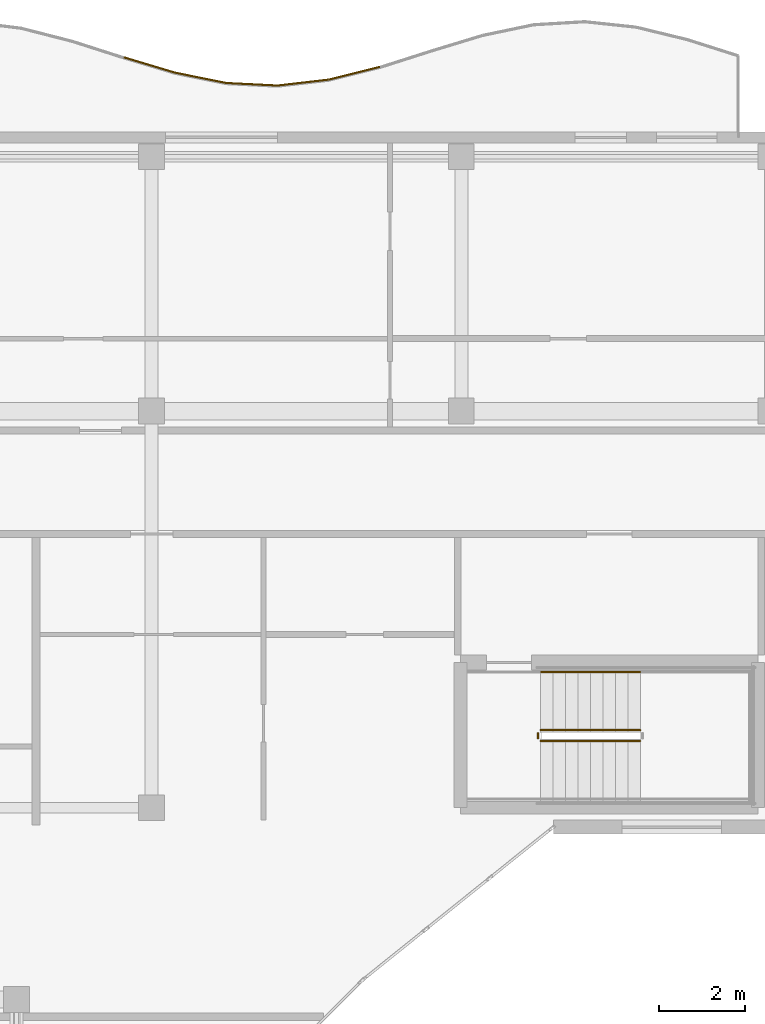
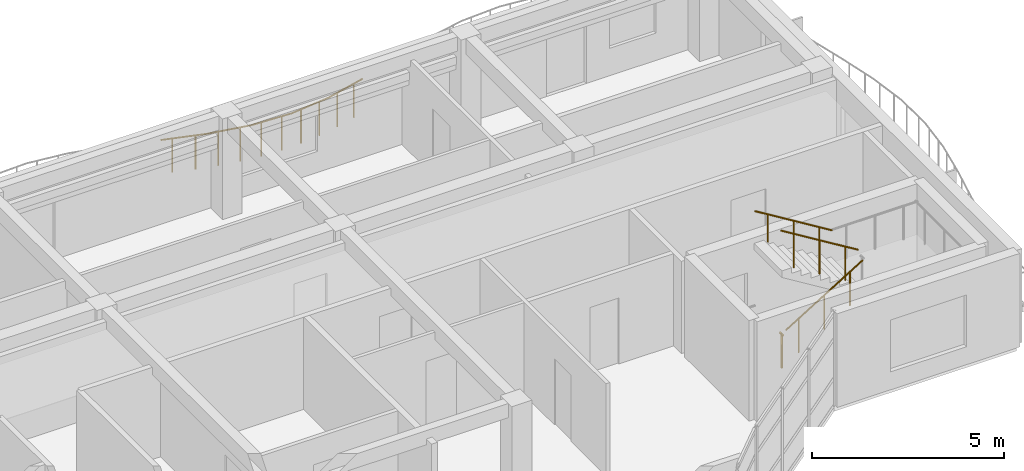
# One storey, part 67 of 76: 9 railings.
"""IFC4 building model written with IfcOpenShell, lengths in metres."""

from ifc_helpers import new_model, si_unit, direction, frame, origin, origin_2d, place, context, subcontext, project, spatial, circle, extrude, material, type_object, element, save


model = new_model("IFC4")

# Units and contexts
model_context = context("Model", 3, precision=1e-05, world=origin(), true_north=direction((0.0, 1.0)))
body_context = subcontext(model_context, "Body", "Model", "MODEL_VIEW")
ifc_project = project(units=[si_unit("LENGTHUNIT", "METRE"), si_unit("AREAUNIT", "SQUARE_METRE"), si_unit("VOLUMEUNIT", "CUBIC_METRE"), si_unit("PLANEANGLEUNIT", "RADIAN"), si_unit("MASSUNIT", "GRAM", prefix="KILO")], contexts=[model_context])

# Site, building, storey
site_placement = place(None, origin())
site = spatial("IfcSite", under=ifc_project, at=site_placement, CompositionType="ELEMENT")
building_placement = place(site_placement, origin())
building = spatial("IfcBuilding", under=site, at=building_placement, Name="Keldmere Railside Commons", CompositionType="ELEMENT")
storey_placement = place(building_placement, frame((0.0, 0.0, 13.760009765625)))
storey = spatial("IfcBuildingStorey", under=building, at=storey_placement, Name="L04", CompositionType="ELEMENT", Elevation=13.760009765625)

# Railings
ifc_material = material(Name="Steel F-24 (S235)", Category="steel")
railing_type_1 = type_object("IfcRailingType", Name="Balcony & Terrace Steel Balustrade 1100", PredefinedType="BALUSTRADE", material=ifc_material)
railing_1_placement = place(storey_placement, frame((122.037109375, 117.860107421875, 0.0)))
element("IfcRailing", 1, at=railing_1_placement, inside=storey, type_object=railing_type_1, Name="GR-1 GRD-L04-2261", PredefinedType="BALUSTRADE", context=body_context, shape_type="SweptSolid", body=[
    extrude(circle(Radius=0.02392578125, at=origin_2d()), frame((0.0, 0.0, 1.076171875), z_axis=(0.95768539045, -0.287817117138, 0.0), x_axis=(0.287817117138, 0.95768539045, 0.0)), (0.0, 0.0, 1.0), 1.240966796875),
    extrude(circle(Radius=0.02099609375, at=origin_2d()), frame((0.297119140625, -0.08935546875, 0.0)), (0.0, 0.0, 1.0), 1.048095703125),
    extrude(circle(Radius=0.02099609375, at=origin_2d()), frame((0.891357421875, -0.267822265625, 0.0)), (0.0, 0.0, 1.0), 1.048095703125),
])
railing_2_placement = place(storey_placement, frame((123.2255859375, 117.5029296875, 0.0)))
element("IfcRailing", 2, at=railing_2_placement, inside=storey, type_object=railing_type_1, Name="GR-1 GRD-L04-2262", PredefinedType="BALUSTRADE", context=body_context, shape_type="SweptSolid", body=[
    extrude(circle(Radius=0.02392578125, at=origin_2d()), frame((0.0, 0.0, 1.076171875), z_axis=(0.980261913405, -0.197703265345, 0.0), x_axis=(0.197703265345, 0.980261913405, 0.0)), (0.0, 0.0, 1.0), 1.212646484375),
    extrude(circle(Radius=0.02099609375, at=origin_2d()), frame((0.297119140625, -0.06005859375, 0.0)), (0.0, 0.0, 1.0), 1.048095703125),
    extrude(circle(Radius=0.02099609375, at=origin_2d()), frame((0.8916015625, -0.1796875, 0.0)), (0.0, 0.0, 1.0), 1.048095703125),
])
railing_3_placement = place(storey_placement, frame((124.414306640625, 117.26318359375, 0.0)))
element("IfcRailing", 3, at=railing_3_placement, inside=storey, type_object=railing_type_1, Name="GR-1 GRD-L04-2263", PredefinedType="BALUSTRADE", context=body_context, shape_type="SweptSolid", body=[
    extrude(circle(Radius=0.02392578125, at=origin_2d()), frame((0.0, 0.0, 1.076171875), z_axis=(0.998766623851, -0.049651093462, 0.0), x_axis=(0.049651093462, 0.998766623851, 0.0)), (0.0, 0.0, 1.0), 1.18994140625),
    extrude(circle(Radius=0.02099609375, at=origin_2d()), frame((0.297119140625, -0.0146484375, 0.0)), (0.0, 0.0, 1.0), 1.048095703125),
    extrude(circle(Radius=0.02099609375, at=origin_2d()), frame((0.891357421875, -0.04443359375, 0.0)), (0.0, 0.0, 1.0), 1.048095703125),
])
railing_4_placement = place(storey_placement, frame((125.602783203125, 117.2041015625, 0.0)))
element("IfcRailing", 4, at=railing_4_placement, inside=storey, type_object=railing_type_1, Name="GR-1 GRD-L04-2264", PredefinedType="BALUSTRADE", context=body_context, shape_type="SweptSolid", body=[
    extrude(circle(Radius=0.02392578125, at=origin_2d()), frame((0.0, 0.0, 1.076171875), z_axis=(0.993404467385, 0.114662828234, 0.0), x_axis=(-0.114662828234, 0.993404467385, 0.0)), (0.0, 0.0, 1.0), 1.196533203125),
    extrude(circle(Radius=0.02099609375, at=origin_2d()), frame((0.297119140625, 0.0341796875, 0.0)), (0.0, 0.0, 1.0), 1.048095703125),
    extrude(circle(Radius=0.02099609375, at=origin_2d()), frame((0.8916015625, 0.10302734375, 0.0)), (0.0, 0.0, 1.0), 1.048095703125),
])
railing_5_placement = place(storey_placement, frame((126.79150390625, 117.34130859375, 0.0)))
element("IfcRailing", 5, at=railing_5_placement, inside=storey, type_object=railing_type_1, Name="GR-1 GRD-L04-2265", PredefinedType="BALUSTRADE", context=body_context, shape_type="SweptSolid", body=[
    extrude(circle(Radius=0.02392578125, at=origin_2d()), frame((0.0, 0.0, 1.076171875), z_axis=(0.970142500145, 0.242535625036, 0.0), x_axis=(-0.242535625036, 0.970142500145, 0.0)), (0.0, 0.0, 1.0), 1.22509765625),
    extrude(circle(Radius=0.02099609375, at=origin_2d()), frame((0.297119140625, 0.07421875, 0.0)), (0.0, 0.0, 1.0), 1.048095703125),
    extrude(circle(Radius=0.02099609375, at=origin_2d()), frame((0.891357421875, 0.222900390625, 0.0)), (0.0, 0.0, 1.0), 1.048095703125),
])
railing_type_2 = type_object("IfcRailingType", Name="Stair Well Steel Guardrail 1100", PredefinedType="BALUSTRADE", material=ifc_material)
railing_6_placement = place(storey_placement, frame((131.699951171875, 102.0, 0.177734375)))
element("IfcRailing", 6, at=railing_6_placement, inside=storey, type_object=railing_type_2, Name="L04 ST-B2 stair guard 1", PredefinedType="BALUSTRADE", context=body_context, shape_type="SweptSolid", body=[
    extrude(circle(Radius=0.02392578125, at=origin_2d()), frame((0.0, 0.0, 1.076171875), z_axis=(0.852538067394, 0.0, 0.522665135287), x_axis=(0.0, 1.0, 0.0)), (0.0, 0.0, 1.0), 2.721435546875),
    extrude(circle(Radius=0.02099609375, at=origin_2d()), frame((0.38671875, 0.0, 0.237060546875)), (0.0, 0.0, 1.0), 1.048095703125),
    extrude(circle(Radius=0.02099609375, at=origin_2d()), frame((1.16015625, 0.0, 0.711181640625)), (0.0, 0.0, 1.0), 1.048095703125),
    extrude(circle(Radius=0.02099609375, at=origin_2d()), frame((1.933349609375, 0.0, 1.185302734375)), (0.0, 0.0, 1.0), 1.048095703125),
])
railing_7_placement = place(storey_placement, frame((134.02001953125, 102.25, 1.77783203125)))
element("IfcRailing", 7, at=railing_7_placement, inside=storey, type_object=railing_type_2, Name="L04 ST-B2 stair guard 6", PredefinedType="BALUSTRADE", context=body_context, shape_type="SweptSolid", body=[
    extrude(circle(Radius=0.02392578125, at=origin_2d()), frame((0.0, 0.0, 1.076171875), z_axis=(-0.852578041948, 0.0, 0.522599925744), x_axis=(0.0, -1.0, 0.0)), (0.0, 0.0, 1.0), 2.72119140625),
    extrude(circle(Radius=0.02099609375, at=origin_2d()), frame((-0.38671875, 0.0, 0.237060546875)), (0.0, 0.0, 1.0), 1.048095703125),
    extrude(circle(Radius=0.02099609375, at=origin_2d()), frame((-1.16015625, 0.0, 0.7109375)), (0.0, 0.0, 1.0), 1.048095703125),
    extrude(circle(Radius=0.02099609375, at=origin_2d()), frame((-1.933349609375, 0.0, 1.18505859375)), (0.0, 0.0, 1.0), 1.048095703125),
])
railing_8_placement = place(storey_placement, frame((131.64990234375, 102.050048828125, 0.0)))
element("IfcRailing", 8, at=railing_8_placement, inside=storey, type_object=railing_type_2, Name="L04 ST-B2 stair guard 7", PredefinedType="BALUSTRADE", context=body_context, shape_type="SweptSolid", body=[
    extrude(circle(Radius=0.02392578125, at=origin_2d()), frame((0.0, 0.0, 1.076171875), z_axis=(0.0, 1.0, 0.0), x_axis=(-1.0, 0.0, 0.0)), (0.0, 0.0, 1.0), 0.14990234375),
    extrude(circle(Radius=0.02099609375, at=origin_2d()), frame((0.0, 0.074951171875, 0.0)), (0.0, 0.0, 1.0), 1.048095703125),
])
railing_type_3 = type_object("IfcRailingType", Name="Wall-Mounted Tubular Steel Handrail 900", PredefinedType="HANDRAIL", material=ifc_material)
railing_9_placement = place(storey_placement, frame((134.02001953125, 103.60009765625, 1.77783203125)))
element("IfcRailing", 9, at=railing_9_placement, inside=storey, type_object=railing_type_3, Name="L04 ST-B2 stair handrail 2", PredefinedType="HANDRAIL", context=body_context, shape_type="SweptSolid", body=[
    extrude(circle(Radius=0.02392578125, at=origin_2d()), frame((0.0, 0.0, 0.8759765625), z_axis=(-0.852578041948, 0.0, 0.522599925744), x_axis=(0.0, -1.0, 0.0)), (0.0, 0.0, 1.0), 2.72119140625),
    extrude(circle(Radius=0.02099609375, at=origin_2d()), frame((-0.38671875, 0.0, 0.237060546875)), (0.0, 0.0, 1.0), 0.847900390625),
    extrude(circle(Radius=0.02099609375, at=origin_2d()), frame((-1.16015625, 0.0, 0.7109375)), (0.0, 0.0, 1.0), 0.847900390625),
    extrude(circle(Radius=0.02099609375, at=origin_2d()), frame((-1.933349609375, 0.0, 1.18505859375)), (0.0, 0.0, 1.0), 0.847900390625),
])

save(model, "model.ifc")
